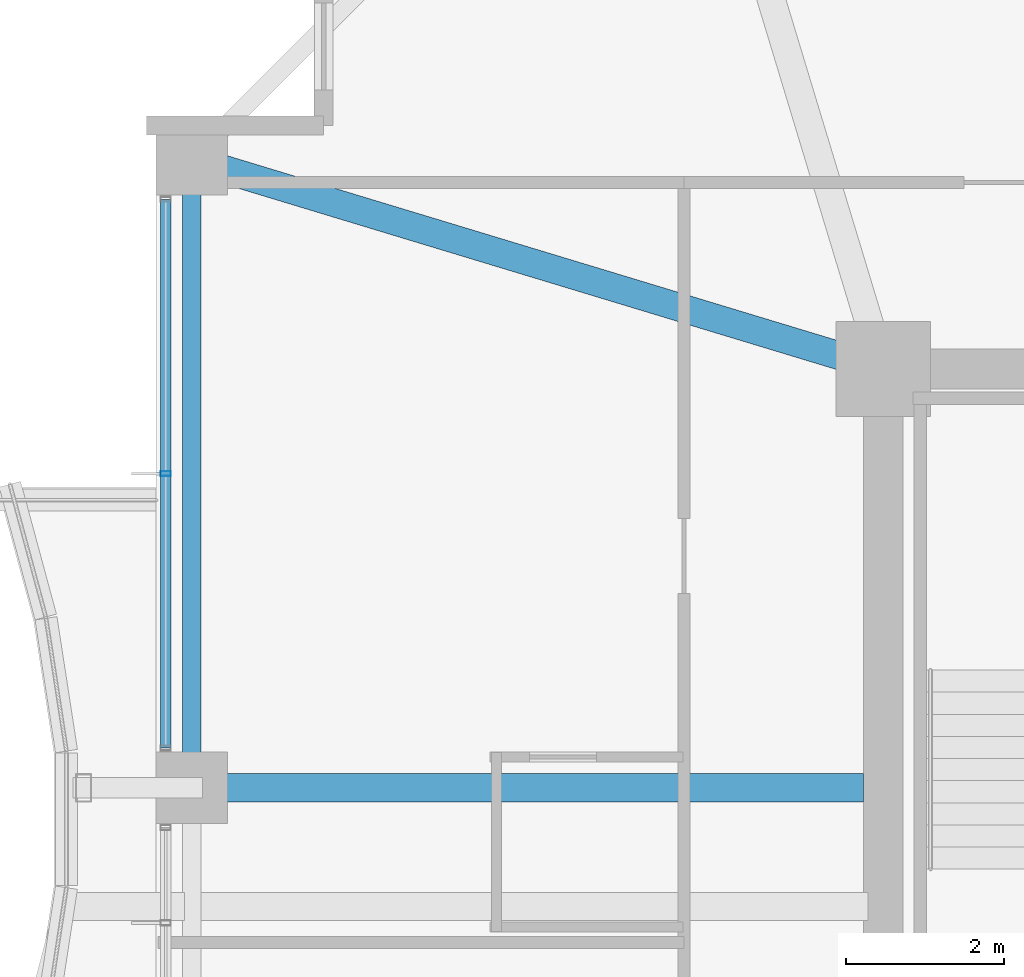
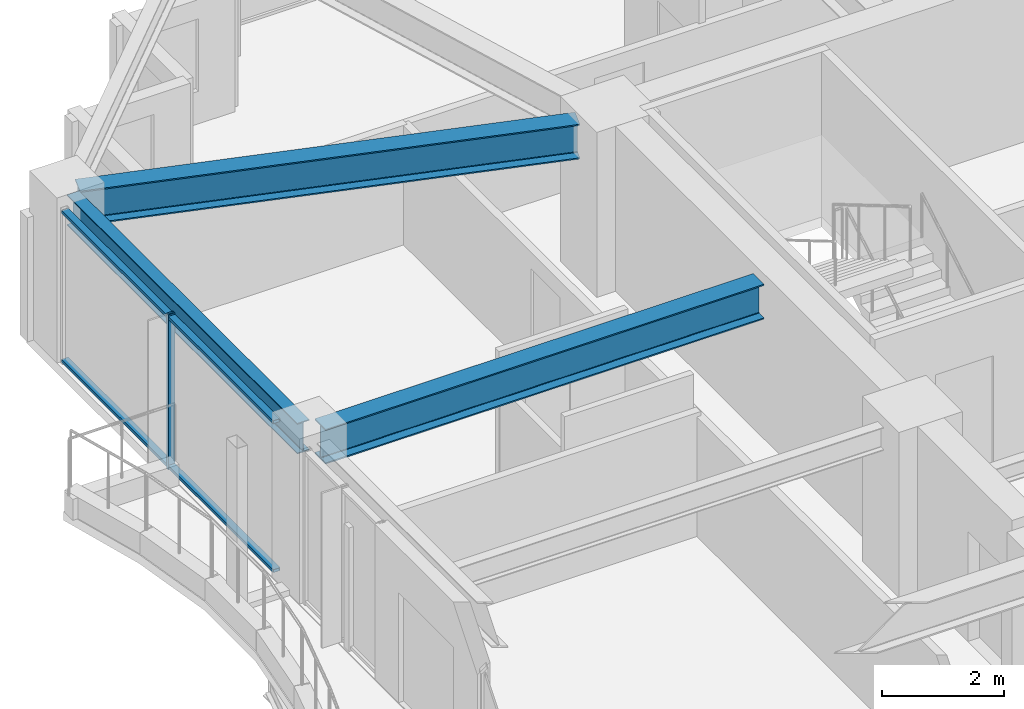
# One storey, part 12 of 35: 3 beams, 3 members, 1 element without a shape of its own.
"""IFC4 building model written with IfcOpenShell, lengths in metres."""

import ifcopenshell
import ifcopenshell.guid

model = None  # the IFC model being written
_history = None  # IfcOwnerHistory: only IFC2X3 demands one
_inside = {}  # id of a spatial element -> (the spatial element, [elements in it])
_under = {}  # id of a project, library or spatial element -> (it, [spatial elements below it])
_declared = {}  # id of a project -> (the project, [libraries it declares])
_typed = {}  # id of a type object -> (the type object, [elements of that type])
_made_of = {}  # id of a material, layer set ... -> (it, [elements and type objects made of it])


def new_model(schema):
    """Start an empty IFC model of exactly this schema.

    Asked for "IFC4X3", IfcOpenShell would pick the latest addendum, in which some entities
    have other attributes; the version numbers below select the first issue.
    IFC2X3 requires an IfcOwnerHistory on every rooted entity: one is made here for all.
    """
    global model, _history
    if schema == "IFC4X3":
        model = ifcopenshell.file(schema_version=(4, 3, 0, 0))
    else:
        model = ifcopenshell.file(schema=schema)
    _inside.clear()
    _under.clear()
    _declared.clear()
    _typed.clear()
    _made_of.clear()
    _history = None
    if model.schema == "IFC2X3":
        org = make("IfcOrganization", Name="unknown")
        user = make(
            "IfcPersonAndOrganization",
            ThePerson=make("IfcPerson", FamilyName="unknown"),
            TheOrganization=org,
        )
        app = make(
            "IfcApplication",
            ApplicationDeveloper=org,
            Version="unknown",
            ApplicationFullName="unknown",
            ApplicationIdentifier="unknown",
        )
        _history = make(
            "IfcOwnerHistory",
            OwningUser=user,
            OwningApplication=app,
            ChangeAction="ADDED",
            CreationDate=0,
        )
    return model


def make(cls, **values):
    """One entity of the class cls with the attributes given. An attribute that is None is left unset."""
    return model.create_entity(
        cls, **{name: value for name, value in values.items() if value is not None}
    )


def rooted(cls, **values):
    """An entity with a GlobalId (a new one), such as an element, a storey or a relation."""
    return make(cls, GlobalId=ifcopenshell.guid.new(), OwnerHistory=_history, **values)


def si_unit(unit_type, name, prefix=None):
    """IfcSIUnit, for example si_unit("LENGTHUNIT", "METRE", prefix="MILLI")."""
    return make("IfcSIUnit", UnitType=unit_type, Prefix=prefix, Name=name)


def assignment(units):
    """IfcUnitAssignment: the units of a project."""
    return None if units is None else make("IfcUnitAssignment", Units=units)


def point(xyz):
    """IfcCartesianPoint."""
    return None if xyz is None else make("IfcCartesianPoint", Coordinates=xyz)


def direction(xyz):
    """IfcDirection."""
    return None if xyz is None else make("IfcDirection", DirectionRatios=xyz)


def frame(location, z_axis=None, x_axis=None):
    """IfcAxis2Placement3D, a coordinate frame: its origin and axes. An axis left out is left unset."""
    return make(
        "IfcAxis2Placement3D",
        Location=point(location),
        Axis=direction(z_axis),
        RefDirection=direction(x_axis),
    )


def frame_2d(location, x_axis=None):
    """IfcAxis2Placement2D, a coordinate frame in the plane: its origin and x axis."""
    return make(
        "IfcAxis2Placement2D", Location=point(location), RefDirection=direction(x_axis)
    )


def origin():
    """The frame at (0, 0, 0) with its axes left unset."""
    return frame((0.0, 0.0, 0.0))


def origin_2d():
    """The frame at (0, 0) in the plane with its x axis left unset."""
    return frame_2d((0.0, 0.0))


def place(relative_to, where):
    """IfcLocalPlacement: puts the frame where relative to a parent placement (None: the world)."""
    return make(
        "IfcLocalPlacement", PlacementRelTo=relative_to, RelativePlacement=where
    )


def context(
    kind, dimensions, precision=None, world=None, true_north=None, identifier=None
):
    """IfcGeometricRepresentationContext, for example the 3D "Model" context."""
    return make(
        "IfcGeometricRepresentationContext",
        ContextIdentifier=identifier,
        ContextType=kind,
        CoordinateSpaceDimension=dimensions,
        Precision=precision,
        WorldCoordinateSystem=world,
        TrueNorth=true_north,
    )


def subcontext(parent, identifier, kind, view, scale=None):
    """IfcGeometricRepresentationSubContext, for example "Body" below "Model"."""
    return make(
        "IfcGeometricRepresentationSubContext",
        ContextIdentifier=identifier,
        ContextType=kind,
        ParentContext=parent,
        TargetScale=scale,
        TargetView=view,
    )


def project(units=None, contexts=None):
    """IfcProject with its units and contexts."""
    return rooted(
        "IfcProject",
        Name="project",
        RepresentationContexts=contexts,
        UnitsInContext=assignment(units),
    )


def spatial(cls, under=None, at=None, **own):
    """A site, building, storey or space (cls), placed at a placement, below another one or the project."""
    s = rooted(cls, ObjectPlacement=at, **own)
    if under is not None:
        _under.setdefault(under.id(), (under, []))[1].append(s)
    return s


def profile(cls, at=None, kind="AREA", **sizes):
    """A parametric profile (cls). Its sizes go by their IFC names, for example OverallWidth=200.0."""
    return make(cls, ProfileType=kind, Position=at, **sizes)


def hollow_rectangle(**sizes):
    """IfcRectangleHollowProfileDef."""
    return profile("IfcRectangleHollowProfileDef", **sizes)


def i_section(**sizes):
    """IfcIShapeProfileDef."""
    return profile("IfcIShapeProfileDef", **sizes)


def extrude(swept, where, along, depth):
    """IfcExtrudedAreaSolid: the profile swept, set in the frame where, extruded along a direction by depth."""
    return make(
        "IfcExtrudedAreaSolid",
        SweptArea=swept,
        Position=where,
        ExtrudedDirection=direction(along),
        Depth=depth,
    )


def shape(context_of_items, identifier, shape_type, items):
    """IfcShapeRepresentation: the items that make up one representation, for example the "Body"."""
    return make(
        "IfcShapeRepresentation",
        ContextOfItems=context_of_items,
        RepresentationIdentifier=identifier,
        RepresentationType=shape_type,
        Items=items,
    )


def material(Name=None, Category=None):
    """IfcMaterial."""
    return make("IfcMaterial", Name=Name, Category=Category)


def material_profile(
    of_material, cross_section, Name=None, Category=None, Priority=None
):
    """IfcMaterialProfile: a cross section and its material."""
    return make(
        "IfcMaterialProfile",
        Name=Name,
        Material=of_material,
        Profile=cross_section,
        Priority=Priority,
        Category=Category,
    )


def profile_set(profiles, Name=None, composite=None):
    """IfcMaterialProfileSet."""
    return make(
        "IfcMaterialProfileSet",
        Name=Name,
        MaterialProfiles=profiles,
        CompositeProfile=composite,
    )


def made_of(thing, what):
    """Note that an element or type object is made of a material, layer set ...; save() writes the relation."""
    if what is not None:
        _made_of.setdefault(what.id(), (what, []))[1].append(thing)
    return thing


def type_object(cls, material=None, **own):
    """A type object (cls), such as IfcWallType, which elements share."""
    return made_of(rooted(cls, **own), material)


def element(
    cls,
    number,
    at=None,
    inside=None,
    cuts=None,
    type_object=None,
    material=None,
    context=None,
    identifier="Body",
    shape_type=None,
    held_by="IfcProductDefinitionShape",
    body=None,
    shapes=None,
    **own,
):
    """One element of the class cls, such as IfcWall. Its Tag is "e" and its number.

    at: its placement. inside: the storey or other place that contains it. cuts: it is an
    opening in that element (IfcRelVoidsElement). A single representation is given by context,
    identifier, shape_type and body (its items); several are given by shapes. held_by: the class
    of the entity that holds the representations. save() writes the other relations.
    """
    e = rooted(cls, Tag="e%d" % number, ObjectPlacement=at, **own)
    if body is not None:
        shapes = [shape(context, identifier, shape_type, body)]
    if shapes is not None:
        e.Representation = make(held_by, Representations=shapes)
    if inside is not None:
        _inside.setdefault(inside.id(), (inside, []))[1].append(e)
    if cuts is not None:
        rooted(
            "IfcRelVoidsElement", RelatingBuildingElement=cuts, RelatedOpeningElement=e
        )
    if type_object is not None:
        _typed.setdefault(type_object.id(), (type_object, []))[1].append(e)
    return made_of(e, material)


def aggregate(whole, parts):
    """IfcRelAggregates: a whole, such as a stair, and the parts it consists of."""
    return rooted("IfcRelAggregates", RelatingObject=whole, RelatedObjects=parts)


def save(model, path):
    """Write the relations noted so far, then the file.

    IfcRelAggregates (storeys below a building ...), IfcRelContainedInSpatialStructure (elements
    in a storey), IfcRelDefinesByType, IfcRelAssociatesMaterial and IfcRelDeclares: one each for
    every whole, place, type object, material and project.
    """
    for whole, parts in _under.values():
        aggregate(whole, parts)
    for where, things in _inside.values():
        rooted(
            "IfcRelContainedInSpatialStructure",
            RelatedElements=things,
            RelatingStructure=where,
        )
    for kind, things in _typed.values():
        rooted("IfcRelDefinesByType", RelatedObjects=things, RelatingType=kind)
    for what, things in _made_of.values():
        rooted("IfcRelAssociatesMaterial", RelatedObjects=things, RelatingMaterial=what)
    for by, libraries in _declared.values():
        rooted("IfcRelDeclares", RelatingContext=by, RelatedDefinitions=libraries)
    model.write(path)


model = new_model("IFC4")

# Units and contexts
model_context = context("Model", 3, precision=1e-05, world=origin(), true_north=direction((0.0, 1.0)))
body_context = subcontext(model_context, "Body", "Model", "MODEL_VIEW")
ifc_project = project(units=[si_unit("LENGTHUNIT", "METRE"), si_unit("AREAUNIT", "SQUARE_METRE"), si_unit("VOLUMEUNIT", "CUBIC_METRE"), si_unit("PLANEANGLEUNIT", "RADIAN"), si_unit("MASSUNIT", "GRAM", prefix="KILO")], contexts=[model_context])

# Site, building, storey
site_placement = place(None, origin())
site = spatial("IfcSite", under=ifc_project, at=site_placement, CompositionType="ELEMENT")
building_placement = place(site_placement, origin())
building = spatial("IfcBuilding", under=site, at=building_placement, Name="Kolvaren Belvedere", CompositionType="ELEMENT")
storey_placement = place(building_placement, frame((0.0, 0.0, 163.5)))
storey = spatial("IfcBuildingStorey", under=building, at=storey_placement, Name="L47", CompositionType="ELEMENT", Elevation=163.5)

# Beams
ifc_material_1 = material(Name="Structural steel ASTM A992 Grade 50", Category="steel")
ifc_material_profile_1 = material_profile(ifc_material_1, i_section(OverallWidth=0.35498046875, OverallDepth=0.696044921875, WebThickness=0.015380859375, FlangeThickness=0.02490234375, FilletRadius=0.02197265625, at=origin_2d()), Name="W27X146")
ifc_profile_set_1 = profile_set([ifc_material_profile_1], Name="Structural steel ASTM A992 Grade 50")
beam_type_1 = type_object("IfcBeamType", Name="BM-GIRD-W27X146", PredefinedType="BEAM", material=ifc_profile_set_1)
beam_1_placement = place(storey_placement, frame((-10.14990234375, 4.60009765625, 2.751953125), z_axis=(-1.0, 0.0, 0.0), x_axis=(0.0, -1.0, 0.0)))
element("IfcBeam", 1, at=beam_1_placement, inside=storey, type_object=beam_type_1, Name="L47 West Radial Girder P", PredefinedType="BEAM", context=body_context, shape_type="SweptSolid", body=[
    extrude(i_section(OverallWidth=0.35498046875, OverallDepth=0.696044921875, WebThickness=0.015380859375, FlangeThickness=0.02490234375, FilletRadius=0.02197265625, at=origin_2d()), origin(), (0.0, 0.0, 1.0), 8.297607421875),
])
beam_2_placement = place(storey_placement, frame((-10.426513671875, 10.059326171875, 2.751953125), z_axis=(-0.957067352423, 0.289865629086, 0.0), x_axis=(-0.289865629086, -0.957067352423, 0.0)))
element("IfcBeam", 2, at=beam_2_placement, inside=storey, type_object=beam_type_1, Name="L47 Corner Core-to-Perimeter Girder CC4-W4", PredefinedType="BEAM", context=body_context, shape_type="SweptSolid", body=[
    extrude(i_section(OverallWidth=0.35498046875, OverallDepth=0.696044921875, WebThickness=0.015380859375, FlangeThickness=0.02490234375, FilletRadius=0.02197265625, at=origin_2d()), origin(), (0.0, 0.0, 1.0), 8.412353515625),
])
ifc_material_2 = material(Name="Structural steel ASTM A992 Grade 50", Category="steel")
ifc_material_profile_2 = material_profile(ifc_material_2, i_section(OverallWidth=0.22900390625, OverallDepth=0.612060546875, WebThickness=0.011962890625, FlangeThickness=0.01953125, FilletRadius=0.01806640625, at=origin_2d()), Name="W24X84")
ifc_profile_set_2 = profile_set([ifc_material_profile_2], Name="Structural steel ASTM A992 Grade 50")
beam_type_2 = type_object("IfcBeamType", Name="BM-SPAN-W24X84", PredefinedType="SPANDREL", material=ifc_profile_set_2)
beam_3_placement = place(storey_placement, frame((-18.64990234375, 12.347412109375, 2.7939453125), z_axis=(0.0, -1.0, 0.0), x_axis=(1.0, 0.0, 0.0)))
element("IfcBeam", 3, at=beam_3_placement, inside=storey, type_object=beam_type_2, Name="L47 Perimeter Spandrel W4-W3", PredefinedType="SPANDREL", context=body_context, shape_type="SweptSolid", body=[
    extrude(i_section(OverallWidth=0.22900390625, OverallDepth=0.612060546875, WebThickness=0.011962890625, FlangeThickness=0.01953125, FilletRadius=0.01806640625, at=origin_2d()), origin(), (0.0, 0.0, 1.0), 7.544921875),
])

# Curtain wall, members
ifc_material_3 = material(Name="Anodised pale-metal aluminium AA 6063-T6", Category="aluminium")
curtain_wall_type = type_object("IfcCurtainWallType", Name="CW-Z3-WAIST", PredefinedType="NOTDEFINED", material=ifc_material_3)
curtain_wall_placement = place(storey_placement, origin())
curtain_wall = element("IfcCurtainWall", 4, at=curtain_wall_placement, inside=storey, type_object=curtain_wall_type, Name="L47 Unitised Curtain Wall FCW-L47-W2-B2", PredefinedType="NOTDEFINED")
ifc_material_4 = material(Name="Anodised pale-metal aluminium AA 6063-T6", Category="aluminium")
ifc_material_profile_3 = material_profile(ifc_material_4, hollow_rectangle(XDim=0.06494140625, YDim=0.1298828125, WallThickness=0.00390625, at=origin_2d()), Name="ALU-MUL-130X65")
ifc_profile_set_3 = profile_set([ifc_material_profile_3], Name="Anodised pale-metal aluminium AA 6063-T6")
member_type_1 = type_object("IfcMemberType", Name="CW-MUL-130", PredefinedType="MULLION", material=ifc_profile_set_3)
member_1_placement = place(storey_placement, frame((-18.97998046875, 8.574951171875, 0.0), z_axis=(0.0, 0.0, 1.0), x_axis=(0.0, 1.0, 0.0)))
member_1 = element("IfcMember", 5, at=member_1_placement, type_object=member_type_1, Name="FCW-L47-W2-B2 Unitised Mullion 2", PredefinedType="MULLION", context=body_context, shape_type="SweptSolid", body=[
    extrude(hollow_rectangle(XDim=0.06494140625, YDim=0.1298828125, WallThickness=0.00390625, at=origin_2d()), origin(), (0.0, 0.0, 1.0), 3.10009765625),
])
ifc_material_5 = material(Name="Anodised pale-metal aluminium AA 6063-T6", Category="aluminium")
ifc_material_profile_4 = material_profile(ifc_material_5, hollow_rectangle(XDim=0.06005859375, YDim=0.1298828125, WallThickness=0.00390625, at=origin_2d()), Name="ALU-TRN-130X60")
ifc_profile_set_4 = profile_set([ifc_material_profile_4], Name="Anodised pale-metal aluminium AA 6063-T6")
member_type_2 = type_object("IfcMemberType", Name="CW-TRN-130", PredefinedType="USERDEFINED", material=ifc_profile_set_4)
member_2_placement = place(storey_placement, frame((-18.97998046875, 5.1025390625, 0.06005859375), z_axis=(0.0, 1.0, 0.0), x_axis=(0.0, 0.0, 1.0)))
member_2 = element("IfcMember", 6, at=member_2_placement, type_object=member_type_2, Name="FCW-L47-W2-B2 Sill Transom", ObjectType="TRANSOM", PredefinedType="USERDEFINED", context=body_context, shape_type="SweptSolid", body=[
    extrude(hollow_rectangle(XDim=0.06005859375, YDim=0.1298828125, WallThickness=0.00390625, at=origin_2d()), origin(), (0.0, 0.0, 1.0), 6.945068359375),
])
member_3_placement = place(storey_placement, frame((-18.97998046875, 5.1025390625, 3.0400390625), z_axis=(0.0, 1.0, 0.0), x_axis=(0.0, 0.0, 1.0)))
member_3 = element("IfcMember", 7, at=member_3_placement, type_object=member_type_2, Name="FCW-L47-W2-B2 Head Transom", ObjectType="TRANSOM", PredefinedType="USERDEFINED", context=body_context, shape_type="SweptSolid", body=[
    extrude(hollow_rectangle(XDim=0.06005859375, YDim=0.1298828125, WallThickness=0.00390625, at=origin_2d()), origin(), (0.0, 0.0, 1.0), 6.945068359375),
])
aggregate(curtain_wall, [member_1, member_2, member_3])

save(model, "model.ifc")
